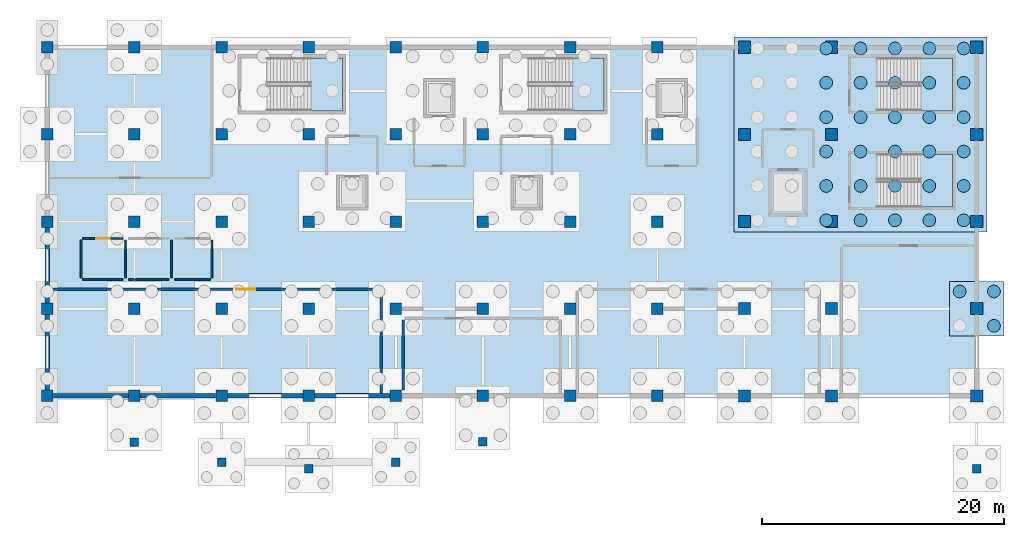
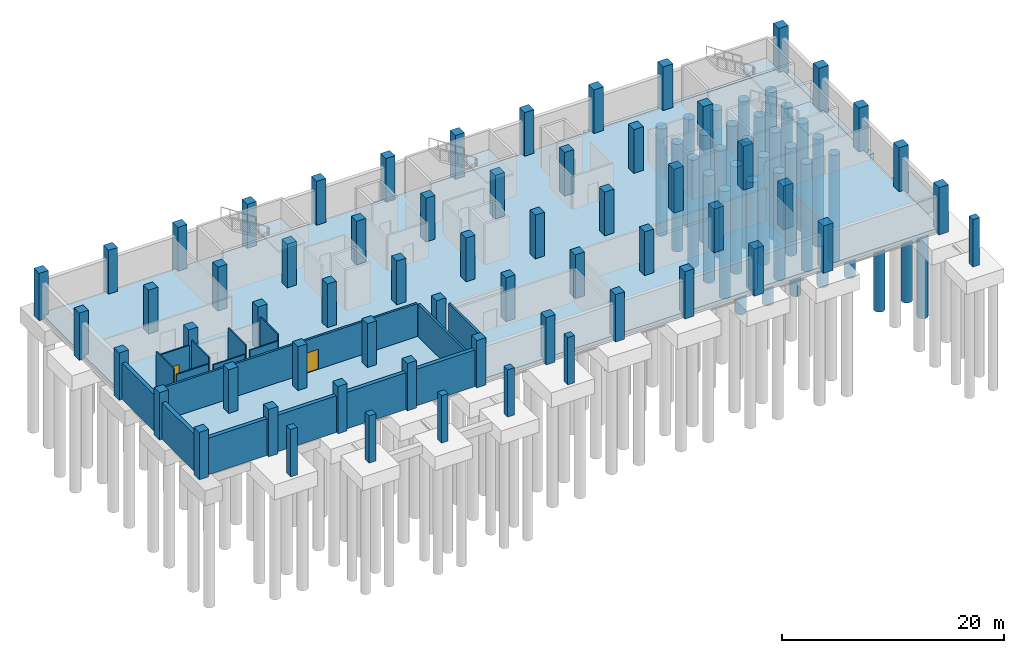
# One storey, part 3 of 10: 61 columns, 33 piles, 14 walls, 5 slabs, 2 doors, 2 footings, 2 openings, 4 elements without a shape of their own.
"""IFC4 building model written with IfcOpenShell, lengths in metres."""

from ifc_helpers import new_model, si_unit, direction, frame, frame_2d, origin, origin_2d, place, context, subcontext, project, spatial, polyline, rectangle, circle, outline, extrude, material, layer, layer_set, material_profile, profile_set, type_object, element, fill, aggregate, save


model = new_model("IFC4")

# Units and contexts
model_context = context("Model", 3, precision=1e-05, world=origin(), true_north=direction((0.0, 1.0)))
body_context = subcontext(model_context, "Body", "Model", "MODEL_VIEW")
ifc_project = project(units=[si_unit("LENGTHUNIT", "METRE"), si_unit("AREAUNIT", "SQUARE_METRE"), si_unit("VOLUMEUNIT", "CUBIC_METRE"), si_unit("PLANEANGLEUNIT", "RADIAN"), si_unit("MASSUNIT", "GRAM", prefix="KILO")], contexts=[model_context])

# Site, building, storey
site_placement = place(None, origin())
site = spatial("IfcSite", under=ifc_project, at=site_placement, CompositionType="ELEMENT")
building_placement = place(site_placement, origin())
building = spatial("IfcBuilding", under=site, at=building_placement, Name="Cendralis Lancet Convention Centre", CompositionType="ELEMENT")
storey_placement = place(building_placement, frame((0.0, 0.0, -4.800048828125)))
storey = spatial("IfcBuildingStorey", under=building, at=storey_placement, Name="B1", CompositionType="ELEMENT", Elevation=-4.800048828125)

# Footings
ifc_material_1 = material(Name="Concrete G35 (C35/45)", Category="concrete")
footing_type_1 = type_object("IfcFootingType", Name="STR-FT-PC02", PredefinedType="PILE_CAP", material=ifc_material_1)
footing_1_placement = place(storey_placement, frame((208.800048828125, 14.39990234375, -2.0498046875), z_axis=(0.0, 0.0, 1.0), x_axis=(1.0, 0.0, 0.0)))
element("IfcFooting", 1, at=footing_1_placement, inside=storey, type_object=footing_type_1, Name="Pile Cap PC-02 #040", PredefinedType="PILE_CAP", context=body_context, shape_type="SweptSolid", body=[
    extrude(rectangle(XDim=4.5, YDim=4.5, at=origin_2d()), origin(), (0.0, 0.0, 1.0), 1.64990234375),
])
footing_type_2 = type_object("IfcFootingType", Name="STR-FT-PC11", PredefinedType="PILE_CAP", material=ifc_material_1)
footing_2_placement = place(storey_placement, frame((199.199951171875, 28.800048828125, -2.0498046875), z_axis=(0.0, 0.0, 1.0), x_axis=(1.0, 0.0, 0.0)))
element("IfcFooting", 2, at=footing_2_placement, inside=storey, type_object=footing_type_2, Name="Pile Cap PC-11 #037", PredefinedType="PILE_CAP", context=body_context, shape_type="SweptSolid", body=[
    extrude(rectangle(XDim=20.89990234375, YDim=16.10009765625, at=origin_2d()), origin(), (0.0, 0.0, 1.0), 1.64990234375),
])

# Piles
ifc_material_profile_1 = material_profile(ifc_material_1, circle(Radius=0.52490234375, at=origin_2d()), Name="BORED PILE D1050")
ifc_profile_set_1 = profile_set([ifc_material_profile_1], Name="Concrete G35 (C35/45)")
pile_type = type_object("IfcPileType", Name="STR-PL-P1050", PredefinedType="BORED", material=ifc_profile_set_1)
for number, where, z_axis, x_axis, name in (
    (3, (196.360107421875, 21.699951171875, -1.89990234375), (0.0, 0.0, -1.0), (1.0, 0.0, 0.0), "Bored Pile P-1050 FT2-PC-11-037-P13"),
    (4, (196.360107421875, 24.5400390625, -1.89990234375), (0.0, 0.0, -1.0), (1.0, 0.0, 0.0), "Bored Pile P-1050 FT2-PC-11-037-P14"),
    (5, (196.360107421875, 27.3798828125, -1.89990234375), (0.0, 0.0, -1.0), (1.0, 0.0, 0.0), "Bored Pile P-1050 FT2-PC-11-037-P15"),
    (6, (196.360107421875, 30.219970703125, -1.89990234375), (0.0, 0.0, -1.0), (1.0, 0.0, 0.0), "Bored Pile P-1050 FT2-PC-11-037-P16"),
    (7, (196.360107421875, 33.06005859375, -1.89990234375), (0.0, 0.0, -1.0), (1.0, 0.0, 0.0), "Bored Pile P-1050 FT2-PC-11-037-P17"),
    (8, (196.360107421875, 35.89990234375, -1.89990234375), (0.0, 0.0, -1.0), (1.0, 0.0, 0.0), "Bored Pile P-1050 FT2-PC-11-037-P18"),
    (9, (199.199951171875, 21.699951171875, -1.89990234375), (0.0, 0.0, -1.0), (1.0, 0.0, 0.0), "Bored Pile P-1050 FT2-PC-11-037-P19"),
    (10, (199.199951171875, 24.5400390625, -1.89990234375), (0.0, 0.0, -1.0), (1.0, 0.0, 0.0), "Bored Pile P-1050 FT2-PC-11-037-P20"),
    (11, (199.199951171875, 27.3798828125, -1.89990234375), (0.0, 0.0, -1.0), (1.0, 0.0, 0.0), "Bored Pile P-1050 FT2-PC-11-037-P21"),
    (12, (199.199951171875, 30.219970703125, -1.89990234375), (0.0, 0.0, -1.0), (1.0, 0.0, 0.0), "Bored Pile P-1050 FT2-PC-11-037-P22"),
    (13, (199.199951171875, 33.06005859375, -1.89990234375), (0.0, 0.0, -1.0), (1.0, 0.0, 0.0), "Bored Pile P-1050 FT2-PC-11-037-P23"),
    (14, (199.199951171875, 35.89990234375, -1.89990234375), (0.0, 0.0, -1.0), (1.0, 0.0, 0.0), "Bored Pile P-1050 FT2-PC-11-037-P24"),
    (15, (202.0400390625, 21.699951171875, -1.89990234375), (0.0, 0.0, -1.0), (1.0, 0.0, 0.0), "Bored Pile P-1050 FT2-PC-11-037-P25"),
    (16, (202.0400390625, 24.5400390625, -1.89990234375), (0.0, 0.0, -1.0), (1.0, 0.0, 0.0), "Bored Pile P-1050 FT2-PC-11-037-P26"),
    (17, (202.0400390625, 27.3798828125, -1.89990234375), (0.0, 0.0, -1.0), (1.0, 0.0, 0.0), "Bored Pile P-1050 FT2-PC-11-037-P27"),
    (18, (202.0400390625, 30.219970703125, -1.89990234375), (0.0, 0.0, -1.0), (1.0, 0.0, 0.0), "Bored Pile P-1050 FT2-PC-11-037-P28"),
    (19, (202.0400390625, 33.06005859375, -1.89990234375), (0.0, 0.0, -1.0), (1.0, 0.0, 0.0), "Bored Pile P-1050 FT2-PC-11-037-P29"),
    (20, (202.0400390625, 35.89990234375, -1.89990234375), (0.0, 0.0, -1.0), (1.0, 0.0, 0.0), "Bored Pile P-1050 FT2-PC-11-037-P30"),
    (21, (204.8798828125, 21.699951171875, -1.89990234375), (0.0, 0.0, -1.0), (1.0, 0.0, 0.0), "Bored Pile P-1050 FT2-PC-11-037-P31"),
    (22, (204.8798828125, 24.5400390625, -1.89990234375), (0.0, 0.0, -1.0), (1.0, 0.0, 0.0), "Bored Pile P-1050 FT2-PC-11-037-P32"),
    (23, (204.8798828125, 27.3798828125, -1.89990234375), (0.0, 0.0, -1.0), (1.0, 0.0, 0.0), "Bored Pile P-1050 FT2-PC-11-037-P33"),
    (24, (204.8798828125, 30.219970703125, -1.89990234375), (0.0, 0.0, -1.0), (1.0, 0.0, 0.0), "Bored Pile P-1050 FT2-PC-11-037-P34"),
    (25, (204.8798828125, 33.06005859375, -1.89990234375), (0.0, 0.0, -1.0), (1.0, 0.0, 0.0), "Bored Pile P-1050 FT2-PC-11-037-P35"),
    (26, (204.8798828125, 35.89990234375, -1.89990234375), (0.0, 0.0, -1.0), (1.0, 0.0, 0.0), "Bored Pile P-1050 FT2-PC-11-037-P36"),
    (27, (207.719970703125, 21.699951171875, -1.89990234375), (0.0, 0.0, -1.0), (1.0, 0.0, 0.0), "Bored Pile P-1050 FT2-PC-11-037-P37"),
    (28, (207.719970703125, 24.5400390625, -1.89990234375), (0.0, 0.0, -1.0), (1.0, 0.0, 0.0), "Bored Pile P-1050 FT2-PC-11-037-P38"),
    (29, (207.719970703125, 27.3798828125, -1.89990234375), (0.0, 0.0, -1.0), (1.0, 0.0, 0.0), "Bored Pile P-1050 FT2-PC-11-037-P39"),
    (30, (207.719970703125, 30.219970703125, -1.89990234375), (0.0, 0.0, -1.0), (1.0, 0.0, 0.0), "Bored Pile P-1050 FT2-PC-11-037-P40"),
    (31, (207.719970703125, 33.06005859375, -1.89990234375), (0.0, 0.0, -1.0), (1.0, 0.0, 0.0), "Bored Pile P-1050 FT2-PC-11-037-P41"),
    (32, (207.719970703125, 35.89990234375, -1.89990234375), (0.0, 0.0, -1.0), (1.0, 0.0, 0.0), "Bored Pile P-1050 FT2-PC-11-037-P42"),
    (33, (207.3798828125, 15.820068359375, -1.89990234375), (0.0, 0.0, -1.0), (1.0, 0.0, 0.0), "Bored Pile P-1050 FT2-PC-02-040-P2"),
    (34, (210.219970703125, 12.97998046875, -1.89990234375), (0.0, 0.0, -1.0), (1.0, 0.0, 0.0), "Bored Pile P-1050 FT2-PC-02-040-P3"),
    (35, (210.219970703125, 15.820068359375, -1.89990234375), (0.0, 0.0, -1.0), (1.0, 0.0, 0.0), "Bored Pile P-1050 FT2-PC-02-040-P4"),
):
    element("IfcPile", number, at=place(storey_placement, frame(where, z_axis=z_axis, x_axis=x_axis)), inside=storey, type_object=pile_type, Name=name, PredefinedType="BORED", context=body_context, shape_type="SweptSolid", body=[
        extrude(circle(Radius=0.52490234375, at=origin_2d()), origin(), (0.0, 0.0, 1.0), 11.800048828125),
    ])

# Columns
ifc_material_2 = material(Name="Concrete G40 (C40/50)", Category="concrete")
ifc_material_profile_2 = material_profile(ifc_material_2, rectangle(XDim=1.0, YDim=1.0, at=origin_2d()), Name="RC 1000x1000")
ifc_profile_set_2 = profile_set([ifc_material_profile_2], Name="Concrete G40 (C40/50)")
column_type_1 = type_object("IfcColumnType", Name="STR-COL-C01", PredefinedType="COLUMN", material=ifc_profile_set_2)
for number, where, z_axis, x_axis, name in (
    (36, (189.60009765625, 7.199951171875, -0.39990234375), (0.0, 0.0, 1.0), (1.0, 0.0, 0.0), "B1 Column C01 at 189.6,7.2"),
    (37, (189.60009765625, 36.0, -0.39990234375), (0.0, 0.0, 1.0), (1.0, 0.0, 0.0), "B1 Column C01 at 189.6,36.0"),
    (38, (196.800048828125, 7.199951171875, -0.39990234375), (0.0, 0.0, 1.0), (1.0, 0.0, 0.0), "B1 Column C01 at 196.8,7.2"),
    (39, (196.800048828125, 36.0, -0.39990234375), (0.0, 0.0, 1.0), (1.0, 0.0, 0.0), "B1 Column C01 at 196.8,36.0"),
    (40, (208.800048828125, 7.199951171875, -0.39990234375), (0.0, 0.0, 1.0), (1.0, 0.0, 0.0), "B1 Column C01 at 208.8,7.2"),
    (41, (208.800048828125, 14.39990234375, -0.39990234375), (0.0, 0.0, 1.0), (1.0, 0.0, 0.0), "B1 Column C01 at 208.8,14.4"),
    (42, (208.800048828125, 21.60009765625, -0.39990234375), (0.0, 0.0, 1.0), (1.0, 0.0, 0.0), "B1 Column C01 at 208.8,21.6"),
    (43, (208.800048828125, 28.800048828125, -0.39990234375), (0.0, 0.0, 1.0), (1.0, 0.0, 0.0), "B1 Column C01 at 208.8,28.8"),
    (44, (208.800048828125, 36.0, -0.39990234375), (0.0, 0.0, 1.0), (1.0, 0.0, 0.0), "B1 Column C01 at 208.8,36.0"),
):
    element("IfcColumn", number, at=place(storey_placement, frame(where, z_axis=z_axis, x_axis=x_axis)), inside=storey, type_object=column_type_1, Name=name, PredefinedType="COLUMN", context=body_context, shape_type="SweptSolid", body=[
        extrude(rectangle(XDim=1.0, YDim=1.0, at=origin_2d()), origin(), (0.0, 0.0, 1.0), 5.199951171875),
    ])
ifc_material_profile_3 = material_profile(ifc_material_2, rectangle(XDim=1.0, YDim=1.0, at=origin_2d()), Name="RC 1000x1000")
ifc_profile_set_3 = profile_set([ifc_material_profile_3], Name="Concrete G40 (C40/50)")
column_type_2 = type_object("IfcColumnType", Name="STR-COL-C01-INT", PredefinedType="COLUMN", material=ifc_profile_set_3)
for number, where, z_axis, x_axis, name in (
    (45, (189.60009765625, 14.39990234375, -0.39990234375), (0.0, 0.0, 1.0), (1.0, 0.0, 0.0), "B1 Column C01 at 189.6,14.4"),
    (46, (189.60009765625, 21.60009765625, -0.39990234375), (0.0, 0.0, 1.0), (1.0, 0.0, 0.0), "B1 Column C01 at 189.6,21.6"),
    (47, (189.60009765625, 28.800048828125, -0.39990234375), (0.0, 0.0, 1.0), (1.0, 0.0, 0.0), "B1 Column C01 at 189.6,28.8"),
    (48, (196.800048828125, 14.39990234375, -0.39990234375), (0.0, 0.0, 1.0), (1.0, 0.0, 0.0), "B1 Column C01 at 196.8,14.4"),
    (49, (196.800048828125, 21.60009765625, -0.39990234375), (0.0, 0.0, 1.0), (1.0, 0.0, 0.0), "B1 Column C01 at 196.8,21.6"),
    (50, (196.800048828125, 28.800048828125, -0.39990234375), (0.0, 0.0, 1.0), (1.0, 0.0, 0.0), "B1 Column C01 at 196.8,28.8"),
):
    element("IfcColumn", number, at=place(storey_placement, frame(where, z_axis=z_axis, x_axis=x_axis)), inside=storey, type_object=column_type_2, Name=name, PredefinedType="COLUMN", context=body_context, shape_type="SweptSolid", body=[
        extrude(rectangle(XDim=1.0, YDim=1.0, at=origin_2d()), origin(), (0.0, 0.0, 1.0), 5.199951171875),
    ])
ifc_material_profile_4 = material_profile(ifc_material_2, rectangle(XDim=0.949951171875, YDim=0.949951171875, at=origin_2d()), Name="RC 950x950")
ifc_profile_set_4 = profile_set([ifc_material_profile_4], Name="Concrete G40 (C40/50)")
column_type_3 = type_object("IfcColumnType", Name="STR-COL-C02", PredefinedType="COLUMN", material=ifc_profile_set_4)
for number, where, z_axis, x_axis, name in (
    (51, (132.0, 7.199951171875, -0.39990234375), (0.0, 0.0, 1.0), (1.0, 0.0, 0.0), "B1 Column C02 at 132.0,7.2"),
    (52, (132.0, 14.39990234375, -0.39990234375), (0.0, 0.0, 1.0), (1.0, 0.0, 0.0), "B1 Column C02 at 132.0,14.4"),
    (53, (132.0, 21.60009765625, -0.39990234375), (0.0, 0.0, 1.0), (1.0, 0.0, 0.0), "B1 Column C02 at 132.0,21.6"),
    (54, (132.0, 28.800048828125, -0.39990234375), (0.0, 0.0, 1.0), (1.0, 0.0, 0.0), "B1 Column C02 at 132.0,28.8"),
    (55, (132.0, 36.0, -0.39990234375), (0.0, 0.0, 1.0), (1.0, 0.0, 0.0), "B1 Column C02 at 132.0,36.0"),
    (56, (139.199951171875, 7.199951171875, -0.39990234375), (0.0, 0.0, 1.0), (1.0, 0.0, 0.0), "B1 Column C02 at 139.2,7.2"),
    (57, (139.199951171875, 36.0, -0.39990234375), (0.0, 0.0, 1.0), (1.0, 0.0, 0.0), "B1 Column C02 at 139.2,36.0"),
    (58, (146.39990234375, 7.199951171875, -0.39990234375), (0.0, 0.0, 1.0), (1.0, 0.0, 0.0), "B1 Column C02 at 146.4,7.2"),
    (59, (146.39990234375, 36.0, -0.39990234375), (0.0, 0.0, 1.0), (1.0, 0.0, 0.0), "B1 Column C02 at 146.4,36.0"),
    (60, (153.60009765625, 7.199951171875, -0.39990234375), (0.0, 0.0, 1.0), (1.0, 0.0, 0.0), "B1 Column C02 at 153.6,7.2"),
    (61, (153.60009765625, 36.0, -0.39990234375), (0.0, 0.0, 1.0), (1.0, 0.0, 0.0), "B1 Column C02 at 153.6,36.0"),
    (62, (160.800048828125, 7.199951171875, -0.39990234375), (0.0, 0.0, 1.0), (1.0, 0.0, 0.0), "B1 Column C02 at 160.8,7.2"),
    (63, (160.800048828125, 36.0, -0.39990234375), (0.0, 0.0, 1.0), (1.0, 0.0, 0.0), "B1 Column C02 at 160.8,36.0"),
    (64, (168.0, 7.199951171875, -0.39990234375), (0.0, 0.0, 1.0), (1.0, 0.0, 0.0), "B1 Column C02 at 168.0,7.2"),
    (65, (168.0, 36.0, -0.39990234375), (0.0, 0.0, 1.0), (1.0, 0.0, 0.0), "B1 Column C02 at 168.0,36.0"),
    (66, (175.199951171875, 7.199951171875, -0.39990234375), (0.0, 0.0, 1.0), (1.0, 0.0, 0.0), "B1 Column C02 at 175.2,7.2"),
    (67, (175.199951171875, 36.0, -0.39990234375), (0.0, 0.0, 1.0), (1.0, 0.0, 0.0), "B1 Column C02 at 175.2,36.0"),
    (68, (182.39990234375, 7.199951171875, -0.39990234375), (0.0, 0.0, 1.0), (1.0, 0.0, 0.0), "B1 Column C02 at 182.4,7.2"),
    (69, (182.39990234375, 36.0, -0.39990234375), (0.0, 0.0, 1.0), (1.0, 0.0, 0.0), "B1 Column C02 at 182.4,36.0"),
):
    element("IfcColumn", number, at=place(storey_placement, frame(where, z_axis=z_axis, x_axis=x_axis)), inside=storey, type_object=column_type_3, Name=name, PredefinedType="COLUMN", context=body_context, shape_type="SweptSolid", body=[
        extrude(rectangle(XDim=0.949951171875, YDim=0.949951171875, at=origin_2d()), origin(), (0.0, 0.0, 1.0), 5.199951171875),
    ])
ifc_material_profile_5 = material_profile(ifc_material_2, rectangle(XDim=0.949951171875, YDim=0.949951171875, at=origin_2d()), Name="RC 950x950")
ifc_profile_set_5 = profile_set([ifc_material_profile_5], Name="Concrete G40 (C40/50)")
column_type_4 = type_object("IfcColumnType", Name="STR-COL-C02-INT", PredefinedType="COLUMN", material=ifc_profile_set_5)
for number, where, z_axis, x_axis, name in (
    (70, (139.199951171875, 14.39990234375, -0.39990234375), (0.0, 0.0, 1.0), (1.0, 0.0, 0.0), "B1 Column C02 at 139.2,14.4"),
    (71, (139.199951171875, 21.60009765625, -0.39990234375), (0.0, 0.0, 1.0), (1.0, 0.0, 0.0), "B1 Column C02 at 139.2,21.6"),
    (72, (139.199951171875, 28.800048828125, -0.39990234375), (0.0, 0.0, 1.0), (1.0, 0.0, 0.0), "B1 Column C02 at 139.2,28.8"),
    (73, (146.39990234375, 14.39990234375, -0.39990234375), (0.0, 0.0, 1.0), (1.0, 0.0, 0.0), "B1 Column C02 at 146.4,14.4"),
    (74, (146.39990234375, 21.60009765625, -0.39990234375), (0.0, 0.0, 1.0), (1.0, 0.0, 0.0), "B1 Column C02 at 146.4,21.6"),
    (75, (146.39990234375, 28.800048828125, -0.39990234375), (0.0, 0.0, 1.0), (1.0, 0.0, 0.0), "B1 Column C02 at 146.4,28.8"),
    (76, (153.60009765625, 14.39990234375, -0.39990234375), (0.0, 0.0, 1.0), (1.0, 0.0, 0.0), "B1 Column C02 at 153.6,14.4"),
    (77, (153.60009765625, 21.60009765625, -0.39990234375), (0.0, 0.0, 1.0), (1.0, 0.0, 0.0), "B1 Column C02 at 153.6,21.6"),
    (78, (153.60009765625, 28.800048828125, -0.39990234375), (0.0, 0.0, 1.0), (1.0, 0.0, 0.0), "B1 Column C02 at 153.6,28.8"),
    (79, (160.800048828125, 14.39990234375, -0.39990234375), (0.0, 0.0, 1.0), (1.0, 0.0, 0.0), "B1 Column C02 at 160.8,14.4"),
    (80, (160.800048828125, 21.60009765625, -0.39990234375), (0.0, 0.0, 1.0), (1.0, 0.0, 0.0), "B1 Column C02 at 160.8,21.6"),
    (81, (160.800048828125, 28.800048828125, -0.39990234375), (0.0, 0.0, 1.0), (1.0, 0.0, 0.0), "B1 Column C02 at 160.8,28.8"),
    (82, (168.0, 14.39990234375, -0.39990234375), (0.0, 0.0, 1.0), (1.0, 0.0, 0.0), "B1 Column C02 at 168.0,14.4"),
    (83, (168.0, 21.60009765625, -0.39990234375), (0.0, 0.0, 1.0), (1.0, 0.0, 0.0), "B1 Column C02 at 168.0,21.6"),
    (84, (168.0, 28.800048828125, -0.39990234375), (0.0, 0.0, 1.0), (1.0, 0.0, 0.0), "B1 Column C02 at 168.0,28.8"),
    (85, (175.199951171875, 14.39990234375, -0.39990234375), (0.0, 0.0, 1.0), (1.0, 0.0, 0.0), "B1 Column C02 at 175.2,14.4"),
    (86, (175.199951171875, 21.60009765625, -0.39990234375), (0.0, 0.0, 1.0), (1.0, 0.0, 0.0), "B1 Column C02 at 175.2,21.6"),
    (87, (175.199951171875, 28.800048828125, -0.39990234375), (0.0, 0.0, 1.0), (1.0, 0.0, 0.0), "B1 Column C02 at 175.2,28.8"),
    (88, (182.39990234375, 14.39990234375, -0.39990234375), (0.0, 0.0, 1.0), (1.0, 0.0, 0.0), "B1 Column C02 at 182.4,14.4"),
    (89, (182.39990234375, 21.60009765625, -0.39990234375), (0.0, 0.0, 1.0), (1.0, 0.0, 0.0), "B1 Column C02 at 182.4,21.6"),
    (90, (182.39990234375, 28.800048828125, -0.39990234375), (0.0, 0.0, 1.0), (1.0, 0.0, 0.0), "B1 Column C02 at 182.4,28.8"),
):
    element("IfcColumn", number, at=place(storey_placement, frame(where, z_axis=z_axis, x_axis=x_axis)), inside=storey, type_object=column_type_4, Name=name, PredefinedType="COLUMN", context=body_context, shape_type="SweptSolid", body=[
        extrude(rectangle(XDim=0.949951171875, YDim=0.949951171875, at=origin_2d()), origin(), (0.0, 0.0, 1.0), 5.199951171875),
    ])
ifc_material_profile_6 = material_profile(ifc_material_2, rectangle(XDim=0.699951171875, YDim=0.699951171875, at=origin_2d()), Name="RC 700x700")
ifc_profile_set_6 = profile_set([ifc_material_profile_6], Name="Concrete G40 (C40/50)")
column_type_5 = type_object("IfcColumnType", Name="STR-COL-C07", PredefinedType="COLUMN", material=ifc_profile_set_6)
for number, where, z_axis, x_axis, name in (
    (91, (139.199951171875, 3.36572265625, -0.39990234375), (0.0, 0.0, 1.0), (1.0, 0.0, 0.0), "B1 Column C07 at 139.2,3.4"),
    (92, (146.39990234375, 1.705810546875, -0.39990234375), (0.0, 0.0, 1.0), (1.0, 0.0, 0.0), "B1 Column C07 at 146.4,1.7"),
    (93, (153.60009765625, 1.169921875, -0.39990234375), (0.0, 0.0, 1.0), (1.0, 0.0, 0.0), "B1 Column C07 at 153.6,1.2"),
    (94, (160.800048828125, 1.720458984375, -0.39990234375), (0.0, 0.0, 1.0), (1.0, 0.0, 0.0), "B1 Column C07 at 160.8,1.7"),
    (95, (168.0, 3.396240234375, -0.39990234375), (0.0, 0.0, 1.0), (1.0, 0.0, 0.0), "B1 Column C07 at 168.0,3.4"),
    (96, (208.800048828125, 1.183837890625, -0.39990234375), (0.0, 0.0, 1.0), (1.0, 0.0, 0.0), "B1 Column C07 at 208.8,1.2"),
):
    element("IfcColumn", number, at=place(storey_placement, frame(where, z_axis=z_axis, x_axis=x_axis)), inside=storey, type_object=column_type_5, Name=name, PredefinedType="COLUMN", context=body_context, shape_type="SweptSolid", body=[
        extrude(rectangle(XDim=0.699951171875, YDim=0.699951171875, at=origin_2d()), origin(), (0.0, 0.0, 1.0), 5.199951171875),
    ])

# Slab
ifc_layer_1 = layer(ifc_material_1, 0.39990234375, Name="Concrete G35 (C35/45)")
ifc_layer_set_1 = layer_set([ifc_layer_1], Name="Concrete G35 (C35/45)")
slab_type_1 = type_object("IfcSlabType", Name="STR-SL-BS40", PredefinedType="BASESLAB", material=ifc_layer_set_1)
slab_1_placement = place(storey_placement, frame((0.0, 0.0, -0.39990234375)))
element("IfcSlab", 97, at=slab_1_placement, inside=storey, type_object=slab_type_1, Name="B1 V5 Floor Slab BS-400", PredefinedType="BASESLAB", context=body_context, shape_type="SweptSolid", body=[
    extrude(outline(polyline([(132.0, 7.199951171875), (208.800048828125, 7.199951171875), (208.800048828125, 36.0), (132.0, 36.0), (132.0, 7.199951171875)])), origin(), (0.0, 0.0, 1.0), 0.39990234375),
])

# Stair, slab
stair_type = type_object("IfcStairType", Name="ARC-ST-CORE", PredefinedType="HALF_TURN_STAIR", material=ifc_material_1)
stair_1_placement = place(storey_placement, origin())
stair_1 = element("IfcStair", 98, at=stair_1_placement, inside=storey, type_object=stair_type, Name="B1 Protected Exit Stair ST-13", PredefinedType="HALF_TURN_STAIR")
ifc_layer_2 = layer(ifc_material_1, 0.199951171875, Name="Concrete G35 (C35/45)")
ifc_layer_set_2 = layer_set([ifc_layer_2], Name="Concrete G35 (C35/45)")
slab_type_2 = type_object("IfcSlabType", Name="STR-SL-LAND", PredefinedType="LANDING", material=ifc_layer_set_2)
slab_2_placement = place(storey_placement, frame((0.0, 0.0, 2.199951171875)))
slab_2 = element("IfcSlab", 99, at=slab_2_placement, type_object=slab_type_2, Name="ST-13 landing 1", PredefinedType="LANDING", context=body_context, shape_type="SweptSolid", body=[
    extrude(outline(polyline([(153.6298828125, 30.75), (156.39990234375, 30.75), (156.39990234375, 35.1298828125), (153.6298828125, 35.1298828125), (153.6298828125, 30.75)])), origin(), (0.0, 0.0, 1.0), 0.2001953125),
])
aggregate(stair_1, [slab_2])

stair_2_placement = place(storey_placement, origin())
stair_2 = element("IfcStair", 100, at=stair_2_placement, inside=storey, type_object=stair_type, Name="B1 Protected Exit Stair ST-14", PredefinedType="HALF_TURN_STAIR")
slab_3_placement = place(storey_placement, frame((0.0, 0.0, 2.199951171875)))
slab_3 = element("IfcSlab", 101, at=slab_3_placement, type_object=slab_type_2, Name="ST-14 landing 1", PredefinedType="LANDING", context=body_context, shape_type="SweptSolid", body=[
    extrude(outline(polyline([(175.22998046875, 30.75), (178.0, 30.75), (178.0, 35.1298828125), (175.22998046875, 35.1298828125), (175.22998046875, 30.75)])), origin(), (0.0, 0.0, 1.0), 0.2001953125),
])
aggregate(stair_2, [slab_3])

stair_3_placement = place(storey_placement, origin())
stair_3 = element("IfcStair", 102, at=stair_3_placement, inside=storey, type_object=stair_type, Name="B1 Protected Exit Stair ST-15", PredefinedType="HALF_TURN_STAIR")
slab_4_placement = place(storey_placement, frame((0.0, 0.0, 2.199951171875)))
slab_4 = element("IfcSlab", 103, at=slab_4_placement, type_object=slab_type_2, Name="ST-15 landing 1", PredefinedType="LANDING", context=body_context, shape_type="SweptSolid", body=[
    extrude(outline(polyline([(204.030029296875, 22.800048828125), (206.800048828125, 22.800048828125), (206.800048828125, 27.179931640625), (204.030029296875, 27.179931640625), (204.030029296875, 22.800048828125)])), origin(), (0.0, 0.0, 1.0), 0.2001953125),
])
aggregate(stair_3, [slab_4])

stair_4_placement = place(storey_placement, origin())
stair_4 = element("IfcStair", 104, at=stair_4_placement, inside=storey, type_object=stair_type, Name="B1 Protected Exit Stair ST-16", PredefinedType="HALF_TURN_STAIR")
slab_5_placement = place(storey_placement, frame((0.0, 0.0, 2.199951171875)))
slab_5 = element("IfcSlab", 105, at=slab_5_placement, type_object=slab_type_2, Name="ST-16 landing 1", PredefinedType="LANDING", context=body_context, shape_type="SweptSolid", body=[
    extrude(outline(polyline([(204.030029296875, 30.75), (206.800048828125, 30.75), (206.800048828125, 35.1298828125), (204.030029296875, 35.1298828125), (204.030029296875, 30.75)])), origin(), (0.0, 0.0, 1.0), 0.2001953125),
])
aggregate(stair_4, [slab_5])

# Walls
ifc_layer_3 = layer(ifc_material_2, 0.39990234375, Name="Concrete G40 (C40/50)")
ifc_layer_set_3 = layer_set([ifc_layer_3], Name="Concrete G40 (C40/50)")
wall_type_1 = type_object("IfcWallType", Name="ARC-EW-W400", PredefinedType="STANDARD", material=ifc_layer_set_3)
wall_1_placement = place(storey_placement, frame((145.89990234375, 7.199951171875, -0.39990234375), z_axis=(0.0, 0.0, 1.0), x_axis=(-1.0, 0.0, 0.0)))
element("IfcWall", 106, at=wall_1_placement, inside=storey, type_object=wall_type_1, Name="B1 South Retaining Wall 132", PredefinedType="STANDARD", context=body_context, shape_type="SweptSolid", body=[
    extrude(rectangle(XDim=13.39990234375, YDim=0.39990234375, at=frame_2d((6.699951171875, 0.0))), origin(), (0.0, 0.0, 1.0), 4.02001953125),
])
for number, where, z_axis, x_axis, name in (
    (107, (160.300048828125, 7.199951171875, -0.39990234375), (0.0, 0.0, 1.0), (-1.0, 0.0, 0.0), "B1 South Retaining Wall 146"),
    (108, (132.0, 7.699951171875, -0.39990234375), (0.0, 0.0, 1.0), (0.0, 1.0, 0.0), "B1 West Retaining Wall 7"),
):
    element("IfcWall", number, at=place(storey_placement, frame(where, z_axis=z_axis, x_axis=x_axis)), inside=storey, type_object=wall_type_1, Name=name, PredefinedType="STANDARD", context=body_context, shape_type="SweptSolid", body=[
        extrude(rectangle(XDim=13.400146484375, YDim=0.39990234375, at=frame_2d((6.7001953125, 0.0))), origin(), (0.0, 0.0, 1.0), 4.02001953125),
    ])

# Wall, opening, door
ifc_material_3 = material(Name="Acoustic fire-rated gypsum board on steel studs", Category="steel")
ifc_layer_4 = layer(ifc_material_3, 0.1201171875, Name="Acoustic fire-rated gypsum board on steel studs")
ifc_layer_set_4 = layer_set([ifc_layer_4], Name="Acoustic fire-rated gypsum board on steel studs")
wall_type_2 = type_object("IfcWallType", Name="ARC-IW-P120", PredefinedType="PARTITIONING", material=ifc_layer_set_4)
wall_2_placement = place(storey_placement, frame((134.949951171875, 20.199951171875, 0.0), z_axis=(0.0, 0.0, 1.0), x_axis=(1.0, 0.0, 0.0)))
wall_2 = element("IfcWall", 109, at=wall_2_placement, inside=storey, type_object=wall_type_2, Name="B1 Interior Partition IW-05 #0336", PredefinedType="PARTITIONING", context=body_context, shape_type="SweptSolid", body=[
    extrude(rectangle(XDim=3.300048828125, YDim=0.1201171875, at=frame_2d((1.64990234375, 0.0))), origin(), (0.0, 0.0, 1.0), 3.885009765625),
])
opening_1_placement = place(wall_2_placement, frame((1.10009765625, 0.0, 0.0)))
opening_1 = element("IfcOpeningElement", 110, at=opening_1_placement, cuts=wall_2, Name="Opening FD-11", PredefinedType="OPENING", context=body_context, shape_type="SweptSolid", body=[
    extrude(rectangle(XDim=1.10009765625, YDim=2.14990234375, at=frame_2d((0.550048828125, 1.074951171875))), frame((0.0, 0.070068359375, 0.0), z_axis=(0.0, -1.0, 0.0), x_axis=(1.0, 0.0, 0.0)), (0.0, 0.0, 1.0), 0.14013671875),
])
ifc_material_4 = material(Name="Steel S355", Category="steel")
door_type_1 = type_object("IfcDoorType", Name="ARC-DR-FF11", OperationType="NOTDEFINED", PredefinedType="DOOR", material=ifc_material_4)
door_1_placement = place(opening_1_placement, frame((1.10009765625, 0.0, 0.0), z_axis=(0.0, 0.0, 1.0), x_axis=(-1.0, 0.0, 0.0)))
door_1 = element("IfcDoor", 111, at=door_1_placement, inside=storey, type_object=door_type_1, Name="B1-D006 B1 Interior Door FD-11 #0113", OperationType="SINGLE_SWING_LEFT", OverallHeight=2.14990234375, OverallWidth=1.10009765625, PredefinedType="DOOR", context=body_context, shape_type="SweptSolid", body=[
    extrude(rectangle(XDim=1.10009765625, YDim=2.14990234375, at=frame_2d((0.550048828125, 1.074951171875))), frame((0.0, 0.02490234375, 0.0), z_axis=(0.0, -1.0, 0.0), x_axis=(1.0, 0.0, 0.0)), (0.0, 0.0, 1.0), 0.050048828125),
])
fill(opening_1, door_1)

# Walls
wall_3_placement = place(storey_placement, frame((134.949951171875, 16.800048828125, 0.0), z_axis=(0.0, 0.0, 1.0), x_axis=(1.0, 0.0, 0.0)))
element("IfcWall", 112, at=wall_3_placement, inside=storey, type_object=wall_type_2, Name="B1 Interior Partition IW-05 #0337", PredefinedType="PARTITIONING", context=body_context, shape_type="SweptSolid", body=[
    extrude(rectangle(XDim=3.300048828125, YDim=0.1201171875, at=frame_2d((1.64990234375, 0.0))), origin(), (0.0, 0.0, 1.0), 3.885009765625),
])
for number, where, z_axis, x_axis, name in (
    (113, (134.800048828125, 16.93994140625, 0.0), (0.0, 0.0, 1.0), (0.0, 1.0, 0.0), "B1 Interior Partition IW-05 #0338"),
    (114, (138.449951171875, 16.93994140625, 0.0), (0.0, 0.0, 1.0), (0.0, 1.0, 0.0), "B1 Interior Partition IW-05 #0339"),
):
    element("IfcWall", number, at=place(storey_placement, frame(where, z_axis=z_axis, x_axis=x_axis)), inside=storey, type_object=wall_type_2, Name=name, PredefinedType="PARTITIONING", context=body_context, shape_type="SweptSolid", body=[
        extrude(rectangle(XDim=3.1201171875, YDim=0.1201171875, at=frame_2d((1.56005859375, 0.0))), origin(), (0.0, 0.0, 1.0), 4.465087890625),
    ])
wall_4_placement = place(storey_placement, frame((138.75, 16.800048828125, 0.0), z_axis=(0.0, 0.0, 1.0), x_axis=(1.0, 0.0, 0.0)))
element("IfcWall", 115, at=wall_4_placement, inside=storey, type_object=wall_type_2, Name="B1 Interior Partition IW-05 #0341", PredefinedType="PARTITIONING", context=body_context, shape_type="SweptSolid", body=[
    extrude(rectangle(XDim=3.300048828125, YDim=0.1201171875, at=frame_2d((1.64990234375, 0.0))), origin(), (0.0, 0.0, 1.0), 3.614990234375),
])
wall_5_placement = place(storey_placement, frame((142.25, 16.93994140625, 0.0), z_axis=(0.0, 0.0, 1.0), x_axis=(0.0, 1.0, 0.0)))
element("IfcWall", 116, at=wall_5_placement, inside=storey, type_object=wall_type_2, Name="B1 Interior Partition IW-05 #0342", PredefinedType="PARTITIONING", context=body_context, shape_type="SweptSolid", body=[
    extrude(rectangle(XDim=3.1201171875, YDim=0.1201171875, at=frame_2d((1.56005859375, 0.0))), origin(), (0.0, 0.0, 1.0), 4.465087890625),
])
wall_6_placement = place(storey_placement, frame((142.550048828125, 16.800048828125, 0.0), z_axis=(0.0, 0.0, 1.0), x_axis=(1.0, 0.0, 0.0)))
element("IfcWall", 117, at=wall_6_placement, inside=storey, type_object=wall_type_2, Name="B1 Interior Partition IW-05 #0344", PredefinedType="PARTITIONING", context=body_context, shape_type="SweptSolid", body=[
    extrude(rectangle(XDim=2.89990234375, YDim=0.1201171875, at=frame_2d((1.449951171875, 0.0))), origin(), (0.0, 0.0, 1.0), 3.885009765625),
])
wall_7_placement = place(storey_placement, frame((145.60009765625, 16.93994140625, 0.0), z_axis=(0.0, 0.0, 1.0), x_axis=(0.0, 1.0, 0.0)))
element("IfcWall", 118, at=wall_7_placement, inside=storey, type_object=wall_type_2, Name="B1 Interior Partition IW-05 #0345", PredefinedType="PARTITIONING", context=body_context, shape_type="SweptSolid", body=[
    extrude(rectangle(XDim=3.1201171875, YDim=0.1201171875, at=frame_2d((1.56005859375, 0.0))), origin(), (0.0, 0.0, 1.0), 4.465087890625),
])

# Wall, opening, door
ifc_layer_5 = layer(ifc_material_3, 0.2099609375, Name="Acoustic fire-rated gypsum board on steel studs")
ifc_layer_set_5 = layer_set([ifc_layer_5], Name="Acoustic fire-rated gypsum board on steel studs")
wall_type_3 = type_object("IfcWallType", Name="ARC-IW-P210", PredefinedType="PARTITIONING", material=ifc_layer_set_5)
wall_8_placement = place(storey_placement, frame((132.2099609375, 16.0, 0.0), z_axis=(0.0, 0.0, 1.0), x_axis=(1.0, 0.0, 0.0)))
wall_8 = element("IfcWall", 119, at=wall_8_placement, inside=storey, type_object=wall_type_3, Name="B1 Interior Partition IW-01 #0324", PredefinedType="PARTITIONING", context=body_context, shape_type="SweptSolid", body=[
    extrude(rectangle(XDim=27.25, YDim=0.2099609375, at=frame_2d((13.625, 0.0))), origin(), (0.0, 0.0, 1.0), 3.614990234375),
])
opening_2_placement = place(wall_8_placement, frame((15.389892578125, 0.0, 0.0)))
opening_2 = element("IfcOpeningElement", 120, at=opening_2_placement, cuts=wall_8, Name="Opening ID-16", PredefinedType="OPENING", context=body_context, shape_type="SweptSolid", body=[
    extrude(rectangle(XDim=1.60009765625, YDim=2.199951171875, at=frame_2d((0.800048828125, 1.10009765625))), frame((0.0, 0.114990234375, 0.0), z_axis=(0.0, -1.0, 0.0), x_axis=(1.0, 0.0, 0.0)), (0.0, 0.0, 1.0), 0.22998046875),
])
ifc_material_5 = material(Name="Acoustic Chilean lenga timber and steel fire leaf", Category="steel")
door_type_2 = type_object("IfcDoorType", Name="ARC-DR-DB16", OperationType="NOTDEFINED", PredefinedType="DOOR", material=ifc_material_5)
door_2_placement = place(opening_2_placement, origin())
door_2 = element("IfcDoor", 121, at=door_2_placement, inside=storey, type_object=door_type_2, Name="B1-D001 B1 Interior Door ID-16 #0108", OperationType="DOUBLE_DOOR_SINGLE_SWING", OverallHeight=2.199951171875, OverallWidth=1.60009765625, PredefinedType="DOOR", context=body_context, shape_type="SweptSolid", body=[
    extrude(rectangle(XDim=1.60009765625, YDim=2.199951171875, at=frame_2d((0.800048828125, 1.10009765625))), frame((0.0, 0.02490234375, 0.0), z_axis=(0.0, -1.0, 0.0), x_axis=(1.0, 0.0, 0.0)), (0.0, 0.0, 1.0), 0.050048828125),
])
fill(opening_2, door_2)

# Walls
wall_9_placement = place(storey_placement, frame((159.60009765625, 7.409912109375, 0.0), z_axis=(0.0, 0.0, 1.0), x_axis=(0.0, 1.0, 0.0)))
element("IfcWall", 122, at=wall_9_placement, inside=storey, type_object=wall_type_3, Name="B1 Interior Partition IW-01 #0325", PredefinedType="PARTITIONING", context=body_context, shape_type="SweptSolid", body=[
    extrude(rectangle(XDim=8.4501953125, YDim=0.2099609375, at=frame_2d((4.22509765625, 0.0))), origin(), (0.0, 0.0, 1.0), 3.56494140625),
])
wall_10_placement = place(storey_placement, frame((161.39990234375, 7.695068359375, 0.0), z_axis=(0.0, 0.0, 1.0), x_axis=(0.0, 1.0, 0.0)))
element("IfcWall", 123, at=wall_10_placement, inside=storey, type_object=wall_type_3, Name="B1 Interior Partition IW-01 #0327", PredefinedType="PARTITIONING", context=body_context, shape_type="SweptSolid", body=[
    extrude(rectangle(XDim=5.764892578125, YDim=0.2099609375, at=frame_2d((2.88232421875, 0.0))), origin(), (0.0, 0.0, 1.0), 4.465087890625),
])

save(model, "model.ifc")
